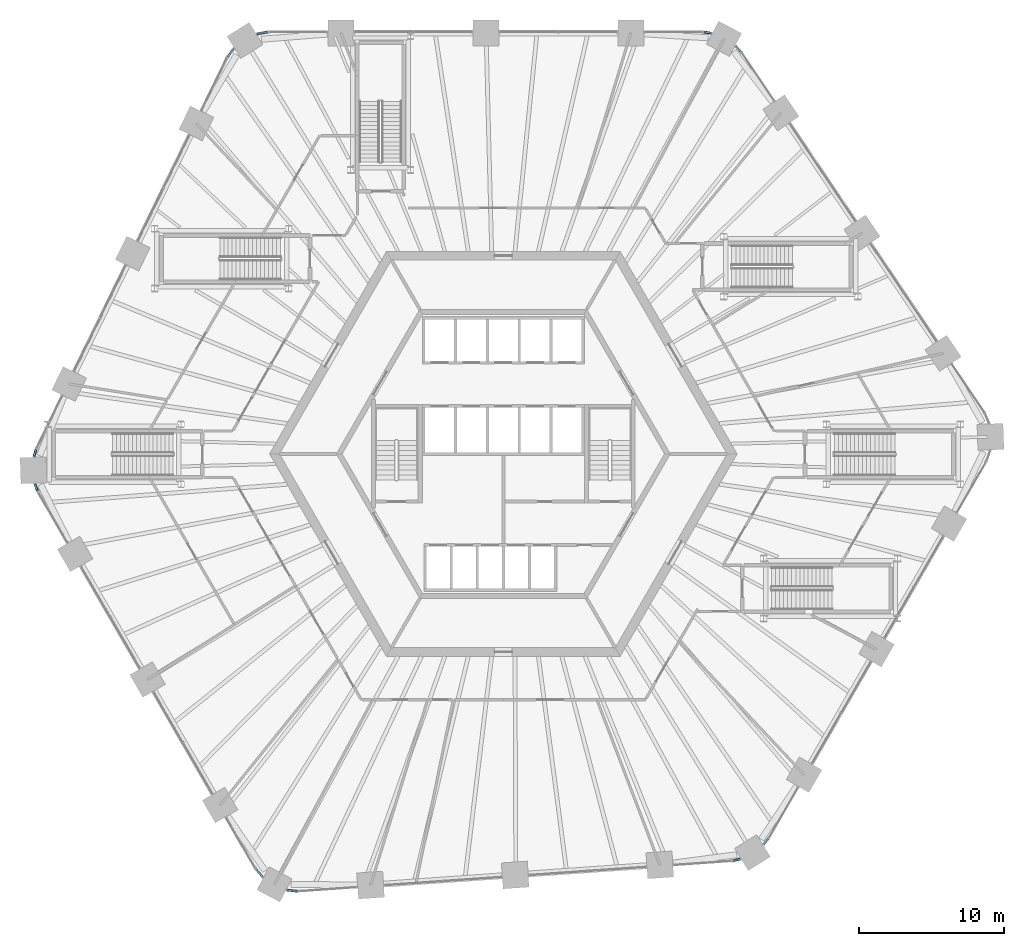
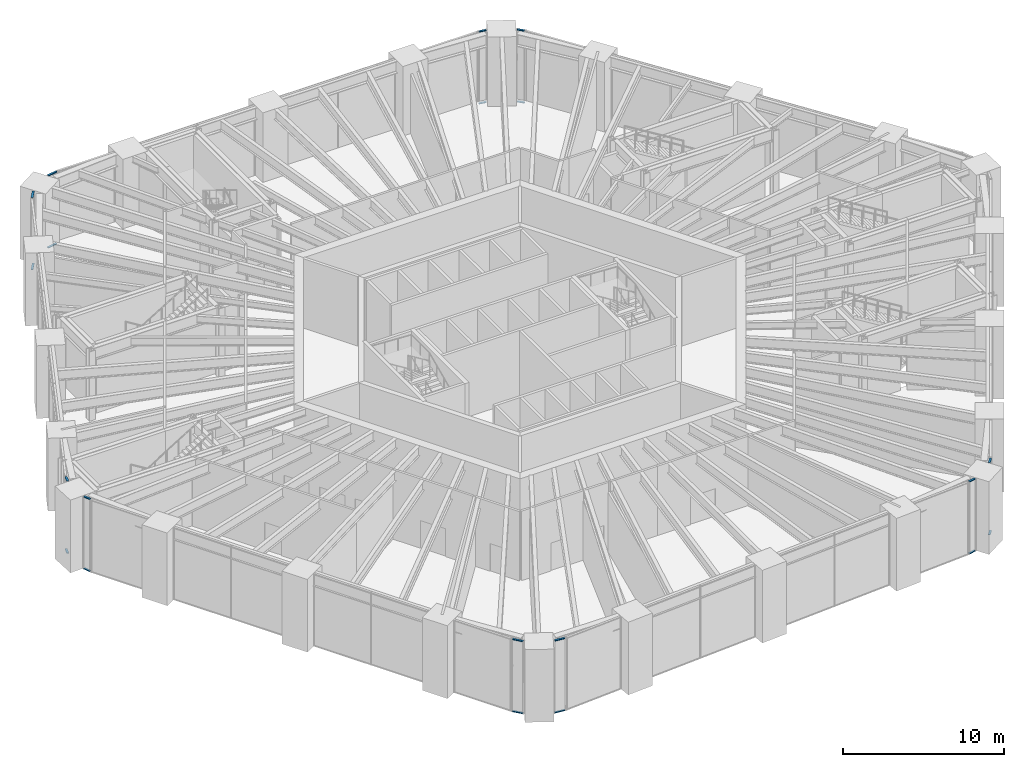
# One storey, part 12 of 30: 20 members, 10 elements without a shape of their own.
"""IFC4 building model written with IfcOpenShell, lengths in metres."""

from ifc_helpers import new_model, si_unit, direction, frame, origin, origin_2d, place, context, subcontext, project, spatial, rectangle, extrude, material, material_profile, profile_set, type_object, element, aggregate, save


model = new_model("IFC4")

# Units and contexts
model_context = context("Model", 3, precision=1e-05, world=origin(), true_north=direction((0.0, 1.0)))
body_context = subcontext(model_context, "Body", "Model", "MODEL_VIEW")
ifc_project = project(units=[si_unit("LENGTHUNIT", "METRE"), si_unit("AREAUNIT", "SQUARE_METRE"), si_unit("VOLUMEUNIT", "CUBIC_METRE"), si_unit("PLANEANGLEUNIT", "RADIAN"), si_unit("MASSUNIT", "GRAM", prefix="KILO")], contexts=[model_context])

# Site, building, storey
site_placement = place(None, origin())
site = spatial("IfcSite", under=ifc_project, at=site_placement, CompositionType="ELEMENT")
building_placement = place(site_placement, origin())
building = spatial("IfcBuilding", under=site, at=building_placement, Name="Tarnside Tower", CompositionType="ELEMENT")
storey_placement = place(building_placement, frame((0.0, 0.0, 20.5)))
storey = spatial("IfcBuildingStorey", under=building, at=storey_placement, Name="L03", CompositionType="ELEMENT", Elevation=20.5)

# Curtain wall, members
ifc_material_1 = material(Name="Retail shopfront glazing wall", Category="glass")
curtain_wall_type = type_object("IfcCurtainWallType", Name="Retail shopfront glazing wall", PredefinedType="NOTDEFINED", material=ifc_material_1)
curtain_wall_1_placement = place(storey_placement, origin())
curtain_wall_1 = element("IfcCurtainWall", 1, at=curtain_wall_1_placement, inside=storey, type_object=curtain_wall_type, Name="Retail shopfront glazing L03 02.1", PredefinedType="NOTDEFINED")
ifc_material_2 = material(Name="Aluminium alloy 6063", Category="aluminium")
ifc_material_profile = material_profile(ifc_material_2, rectangle(XDim=0.139892578125, YDim=0.06005859375, at=origin_2d()), Name="Retail shopfront glazing transom 60 x 140")
ifc_profile_set = profile_set([ifc_material_profile], Name="Aluminium alloy 6063")
member_type = type_object("IfcMemberType", Name="Retail shopfront glazing transom 60 x 140", PredefinedType="USERDEFINED", material=ifc_profile_set)
member_1_placement = place(storey_placement, frame((-16.3203125, 29.16748046875, -0.219970703125), z_axis=(-0.982702316211, -0.185192218287, 0.0), x_axis=(0.185192218287, -0.982702316211, 0.0)))
member_1 = element("IfcMember", 2, at=member_1_placement, type_object=member_type, Name="CW2 transom 1.1", ObjectType="TRANSOM", PredefinedType="USERDEFINED", context=body_context, shape_type="SweptSolid", body=[
    extrude(rectangle(XDim=0.139892578125, YDim=0.06005859375, at=origin_2d()), origin(), (0.0, 0.0, 1.0), 0.701416015625),
])
member_2_placement = place(storey_placement, frame((-16.3203125, 29.16748046875, 5.219970703125), z_axis=(-0.982702316211, -0.185192218287, 0.0), x_axis=(0.185192218287, -0.982702316211, 0.0)))
member_2 = element("IfcMember", 3, at=member_2_placement, type_object=member_type, Name="CW2 transom 1.2", ObjectType="TRANSOM", PredefinedType="USERDEFINED", context=body_context, shape_type="SweptSolid", body=[
    extrude(rectangle(XDim=0.139892578125, YDim=0.06005859375, at=origin_2d()), origin(), (0.0, 0.0, 1.0), 0.701416015625),
])
aggregate(curtain_wall_1, [member_1, member_2])

curtain_wall_2_placement = place(storey_placement, origin())
curtain_wall_2 = element("IfcCurtainWall", 4, at=curtain_wall_2_placement, inside=storey, type_object=curtain_wall_type, Name="Retail shopfront glazing L03 03.0", PredefinedType="NOTDEFINED")
member_3_placement = place(storey_placement, frame((-18.642333984375, 28.017333984375, -0.219970703125), z_axis=(-0.59732331485, -0.802000534624, 0.0), x_axis=(0.802000534624, -0.59732331485, 0.0)))
member_3 = element("IfcMember", 5, at=member_3_placement, type_object=member_type, Name="CW2 transom 1.1", ObjectType="TRANSOM", PredefinedType="USERDEFINED", context=body_context, shape_type="SweptSolid", body=[
    extrude(rectangle(XDim=0.139892578125, YDim=0.06005859375, at=origin_2d()), origin(), (0.0, 0.0, 1.0), 0.701416015625),
])
member_4_placement = place(storey_placement, frame((-18.642333984375, 28.017333984375, 5.219970703125), z_axis=(-0.59732331485, -0.802000534624, 0.0), x_axis=(0.802000534624, -0.59732331485, 0.0)))
member_4 = element("IfcMember", 6, at=member_4_placement, type_object=member_type, Name="CW2 transom 1.2", ObjectType="TRANSOM", PredefinedType="USERDEFINED", context=body_context, shape_type="SweptSolid", body=[
    extrude(rectangle(XDim=0.139892578125, YDim=0.06005859375, at=origin_2d()), origin(), (0.0, 0.0, 1.0), 0.701416015625),
])
aggregate(curtain_wall_2, [member_3, member_4])

curtain_wall_3_placement = place(storey_placement, origin())
curtain_wall_3 = element("IfcCurtainWall", 7, at=curtain_wall_3_placement, inside=storey, type_object=curtain_wall_type, Name="Retail shopfront glazing L03 06.1", PredefinedType="NOTDEFINED")
member_5_placement = place(storey_placement, frame((-32.30908203125, 0.296630859375, -0.219970703125), z_axis=(-0.28665935523, -0.958032574634, 0.0), x_axis=(0.958032574634, -0.28665935523, 0.0)))
member_5 = element("IfcMember", 8, at=member_5_placement, type_object=member_type, Name="CW2 transom 1.1", ObjectType="TRANSOM", PredefinedType="USERDEFINED", context=body_context, shape_type="SweptSolid", body=[
    extrude(rectangle(XDim=0.139892578125, YDim=0.06005859375, at=origin_2d()), origin(), (0.0, 0.0, 1.0), 0.488037109375),
])
member_6_placement = place(storey_placement, frame((-32.30908203125, 0.296630859375, 5.219970703125), z_axis=(-0.28665935523, -0.958032574634, 0.0), x_axis=(0.958032574634, -0.28665935523, 0.0)))
member_6 = element("IfcMember", 9, at=member_6_placement, type_object=member_type, Name="CW2 transom 1.2", ObjectType="TRANSOM", PredefinedType="USERDEFINED", context=body_context, shape_type="SweptSolid", body=[
    extrude(rectangle(XDim=0.139892578125, YDim=0.06005859375, at=origin_2d()), origin(), (0.0, 0.0, 1.0), 0.488037109375),
])
aggregate(curtain_wall_3, [member_5, member_6])

curtain_wall_4_placement = place(storey_placement, origin())
curtain_wall_4 = element("IfcCurtainWall", 10, at=curtain_wall_4_placement, inside=storey, type_object=curtain_wall_type, Name="Retail shopfront glazing L03 07.0", PredefinedType="NOTDEFINED")
member_7_placement = place(storey_placement, frame((-32.3818359375, -2.093017578125, -0.219970703125), z_axis=(0.353040734425, -0.935607951995, 0.0), x_axis=(0.935607951995, 0.353040734425, 0.0)))
member_7 = element("IfcMember", 11, at=member_7_placement, type_object=member_type, Name="CW2 transom 1.1", ObjectType="TRANSOM", PredefinedType="USERDEFINED", context=body_context, shape_type="SweptSolid", body=[
    extrude(rectangle(XDim=0.139892578125, YDim=0.06005859375, at=origin_2d()), origin(), (0.0, 0.0, 1.0), 0.48828125),
])
member_8_placement = place(storey_placement, frame((-32.3818359375, -2.093017578125, 5.219970703125), z_axis=(0.353040734425, -0.935607951995, 0.0), x_axis=(0.935607951995, 0.353040734425, 0.0)))
member_8 = element("IfcMember", 12, at=member_8_placement, type_object=member_type, Name="CW2 transom 1.2", ObjectType="TRANSOM", PredefinedType="USERDEFINED", context=body_context, shape_type="SweptSolid", body=[
    extrude(rectangle(XDim=0.139892578125, YDim=0.06005859375, at=origin_2d()), origin(), (0.0, 0.0, 1.0), 0.48828125),
])
aggregate(curtain_wall_4, [member_7, member_8])

curtain_wall_5_placement = place(storey_placement, origin())
curtain_wall_5 = element("IfcCurtainWall", 13, at=curtain_wall_5_placement, inside=storey, type_object=curtain_wall_type, Name="Retail shopfront glazing L03 10.1", PredefinedType="NOTDEFINED")
member_9_placement = place(storey_placement, frame((-17.099609375, -28.717529296875, -0.219970703125), z_axis=(0.651650977988, -0.758518953545, 0.0), x_axis=(0.758518953545, 0.651650977988, 0.0)))
member_9 = element("IfcMember", 14, at=member_9_placement, type_object=member_type, Name="CW2 transom 1.1", ObjectType="TRANSOM", PredefinedType="USERDEFINED", context=body_context, shape_type="SweptSolid", body=[
    extrude(rectangle(XDim=0.139892578125, YDim=0.06005859375, at=origin_2d()), origin(), (0.0, 0.0, 1.0), 0.701416015625),
])
member_10_placement = place(storey_placement, frame((-17.099609375, -28.717529296875, 5.219970703125), z_axis=(0.651650977988, -0.758518953545, 0.0), x_axis=(0.758518953545, 0.651650977988, 0.0)))
member_10 = element("IfcMember", 15, at=member_10_placement, type_object=member_type, Name="CW2 transom 1.2", ObjectType="TRANSOM", PredefinedType="USERDEFINED", context=body_context, shape_type="SweptSolid", body=[
    extrude(rectangle(XDim=0.139892578125, YDim=0.06005859375, at=origin_2d()), origin(), (0.0, 0.0, 1.0), 0.701416015625),
])
aggregate(curtain_wall_5, [member_9, member_10])

curtain_wall_6_placement = place(storey_placement, origin())
curtain_wall_6 = element("IfcCurtainWall", 16, at=curtain_wall_6_placement, inside=storey, type_object=curtain_wall_type, Name="Retail shopfront glazing L03 11.0", PredefinedType="NOTDEFINED")
member_11_placement = place(storey_placement, frame((-14.942626953125, -30.153564453125, -0.219970703125), z_axis=(0.99325712703, -0.115932219874, 0.0), x_axis=(0.115932219874, 0.99325712703, 0.0)))
member_11 = element("IfcMember", 17, at=member_11_placement, type_object=member_type, Name="CW2 transom 1.1", ObjectType="TRANSOM", PredefinedType="USERDEFINED", context=body_context, shape_type="SweptSolid", body=[
    extrude(rectangle(XDim=0.139892578125, YDim=0.06005859375, at=origin_2d()), origin(), (0.0, 0.0, 1.0), 0.701171875),
])
member_12_placement = place(storey_placement, frame((-14.942626953125, -30.153564453125, 5.219970703125), z_axis=(0.99325712703, -0.115932219874, 0.0), x_axis=(0.115932219874, 0.99325712703, 0.0)))
member_12 = element("IfcMember", 18, at=member_12_placement, type_object=member_type, Name="CW2 transom 1.2", ObjectType="TRANSOM", PredefinedType="USERDEFINED", context=body_context, shape_type="SweptSolid", body=[
    extrude(rectangle(XDim=0.139892578125, YDim=0.06005859375, at=origin_2d()), origin(), (0.0, 0.0, 1.0), 0.701171875),
])
aggregate(curtain_wall_6, [member_11, member_12])

curtain_wall_7_placement = place(storey_placement, origin())
curtain_wall_7 = element("IfcCurtainWall", 19, at=curtain_wall_7_placement, inside=storey, type_object=curtain_wall_type, Name="Retail shopfront glazing L03 14.1", PredefinedType="NOTDEFINED")
member_13_placement = place(storey_placement, frame((15.8974609375, -28.128662109375, -0.219970703125), z_axis=(0.973068482104, 0.23051622315, 0.0), x_axis=(-0.23051622315, 0.973068482104, 0.0)))
member_13 = element("IfcMember", 20, at=member_13_placement, type_object=member_type, Name="CW2 transom 1.1", ObjectType="TRANSOM", PredefinedType="USERDEFINED", context=body_context, shape_type="SweptSolid", body=[
    extrude(rectangle(XDim=0.139892578125, YDim=0.06005859375, at=origin_2d()), origin(), (0.0, 0.0, 1.0), 0.48828125),
])
member_14_placement = place(storey_placement, frame((15.8974609375, -28.128662109375, 5.219970703125), z_axis=(0.973068482104, 0.23051622315, 0.0), x_axis=(-0.23051622315, 0.973068482104, 0.0)))
member_14 = element("IfcMember", 21, at=member_14_placement, type_object=member_type, Name="CW2 transom 1.2", ObjectType="TRANSOM", PredefinedType="USERDEFINED", context=body_context, shape_type="SweptSolid", body=[
    extrude(rectangle(XDim=0.139892578125, YDim=0.06005859375, at=origin_2d()), origin(), (0.0, 0.0, 1.0), 0.48828125),
])
aggregate(curtain_wall_7, [member_13, member_14])

curtain_wall_8_placement = place(storey_placement, origin())
curtain_wall_8 = element("IfcCurtainWall", 22, at=curtain_wall_8_placement, inside=storey, type_object=curtain_wall_type, Name="Retail shopfront glazing L03 15.0", PredefinedType="NOTDEFINED")
member_15_placement = place(storey_placement, frame((18.00341796875, -26.9970703125, -0.219970703125), z_axis=(0.633918150603, 0.773400141153, 0.0), x_axis=(-0.773400141153, 0.633918150603, 0.0)))
member_15 = element("IfcMember", 23, at=member_15_placement, type_object=member_type, Name="CW2 transom 1.1", ObjectType="TRANSOM", PredefinedType="USERDEFINED", context=body_context, shape_type="SweptSolid", body=[
    extrude(rectangle(XDim=0.139892578125, YDim=0.06005859375, at=origin_2d()), origin(), (0.0, 0.0, 1.0), 0.48828125),
])
member_16_placement = place(storey_placement, frame((18.00341796875, -26.9970703125, 5.219970703125), z_axis=(0.633918150603, 0.773400141153, 0.0), x_axis=(-0.773400141153, 0.633918150603, 0.0)))
member_16 = element("IfcMember", 24, at=member_16_placement, type_object=member_type, Name="CW2 transom 1.2", ObjectType="TRANSOM", PredefinedType="USERDEFINED", context=body_context, shape_type="SweptSolid", body=[
    extrude(rectangle(XDim=0.139892578125, YDim=0.06005859375, at=origin_2d()), origin(), (0.0, 0.0, 1.0), 0.48828125),
])
aggregate(curtain_wall_8, [member_15, member_16])

curtain_wall_9_placement = place(storey_placement, origin())
curtain_wall_9 = element("IfcCurtainWall", 25, at=curtain_wall_9_placement, inside=storey, type_object=curtain_wall_type, Name="Retail shopfront glazing L03 22.1", PredefinedType="NOTDEFINED")
member_17_placement = place(storey_placement, frame((16.411376953125, 27.83203125, -0.219970703125), z_axis=(-0.686050683866, 0.727553750019, 0.0), x_axis=(-0.727553750019, -0.686050683866, 0.0)))
member_17 = element("IfcMember", 26, at=member_17_placement, type_object=member_type, Name="CW2 transom 1.1", ObjectType="TRANSOM", PredefinedType="USERDEFINED", context=body_context, shape_type="SweptSolid", body=[
    extrude(rectangle(XDim=0.139892578125, YDim=0.06005859375, at=origin_2d()), origin(), (0.0, 0.0, 1.0), 0.48828125),
])
member_18_placement = place(storey_placement, frame((16.411376953125, 27.83203125, 5.219970703125), z_axis=(-0.686050683866, 0.727553750019, 0.0), x_axis=(-0.727553750019, -0.686050683866, 0.0)))
member_18 = element("IfcMember", 27, at=member_18_placement, type_object=member_type, Name="CW2 transom 1.2", ObjectType="TRANSOM", PredefinedType="USERDEFINED", context=body_context, shape_type="SweptSolid", body=[
    extrude(rectangle(XDim=0.139892578125, YDim=0.06005859375, at=origin_2d()), origin(), (0.0, 0.0, 1.0), 0.48828125),
])
aggregate(curtain_wall_9, [member_17, member_18])

curtain_wall_10_placement = place(storey_placement, origin())
curtain_wall_10 = element("IfcCurtainWall", 28, at=curtain_wall_10_placement, inside=storey, type_object=curtain_wall_type, Name="Retail shopfront glazing L03 23.0", PredefinedType="NOTDEFINED")
member_19_placement = place(storey_placement, frame((14.37841796875, 29.090087890625, -0.219970703125), z_axis=(-0.986783124025, 0.162046493758, 0.0), x_axis=(-0.162046493758, -0.986783124025, 0.0)))
member_19 = element("IfcMember", 29, at=member_19_placement, type_object=member_type, Name="CW2 transom 1.1", ObjectType="TRANSOM", PredefinedType="USERDEFINED", context=body_context, shape_type="SweptSolid", body=[
    extrude(rectangle(XDim=0.139892578125, YDim=0.06005859375, at=origin_2d()), origin(), (0.0, 0.0, 1.0), 0.488037109375),
])
member_20_placement = place(storey_placement, frame((14.37841796875, 29.090087890625, 5.219970703125), z_axis=(-0.986783124025, 0.162046493758, 0.0), x_axis=(-0.162046493758, -0.986783124025, 0.0)))
member_20 = element("IfcMember", 30, at=member_20_placement, type_object=member_type, Name="CW2 transom 1.2", ObjectType="TRANSOM", PredefinedType="USERDEFINED", context=body_context, shape_type="SweptSolid", body=[
    extrude(rectangle(XDim=0.139892578125, YDim=0.06005859375, at=origin_2d()), origin(), (0.0, 0.0, 1.0), 0.488037109375),
])
aggregate(curtain_wall_10, [member_19, member_20])

save(model, "model.ifc")
